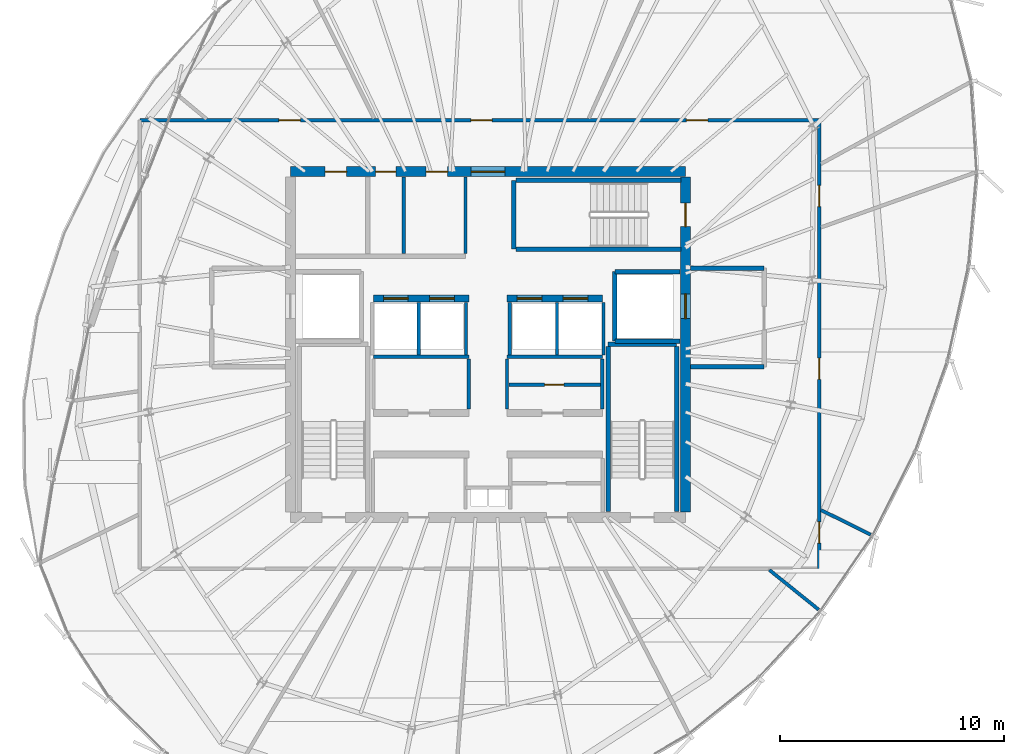
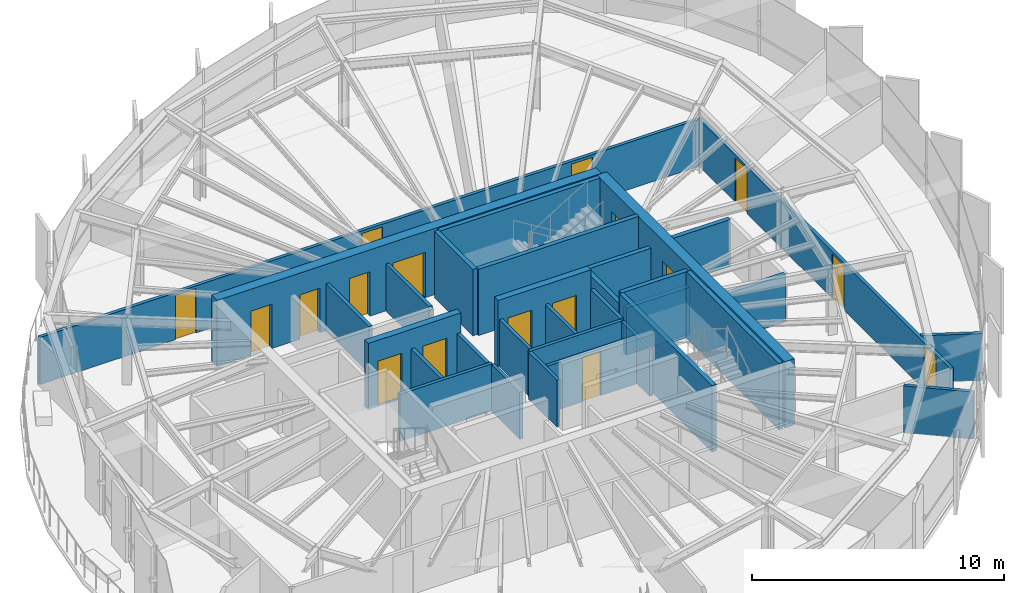
# One storey, part 30 of 36: 32 walls, 17 doors, 17 openings.
"""IFC4 building model written with IfcOpenShell, lengths in metres."""

from ifc_helpers import new_model, si_unit, direction, frame, frame_2d, origin, place, context, subcontext, project, spatial, rectangle, extrude, source, transform, mapped, material, layer, layer_set, type_object, element, fill, save


model = new_model("IFC4")

# Units and contexts
model_context = context("Model", 3, precision=1e-05, world=origin(), true_north=direction((0.0, 1.0)))
body_context = subcontext(model_context, "Body", "Model", "MODEL_VIEW")
ifc_project = project(units=[si_unit("LENGTHUNIT", "METRE"), si_unit("AREAUNIT", "SQUARE_METRE"), si_unit("VOLUMEUNIT", "CUBIC_METRE"), si_unit("PLANEANGLEUNIT", "RADIAN"), si_unit("MASSUNIT", "GRAM", prefix="KILO"), si_unit("THERMODYNAMICTEMPERATUREUNIT", "KELVIN")], contexts=[model_context])

# Site, building, storey
site_placement = place(None, origin())
site = spatial("IfcSite", under=ifc_project, at=site_placement, CompositionType="ELEMENT")
building_placement = place(site_placement, origin())
building = spatial("IfcBuilding", under=site, at=building_placement, Name="Kethvar Cultural Tower", CompositionType="ELEMENT")
storey_placement = place(building_placement, frame((0.0, 0.0, 242.199951171875)))
storey = spatial("IfcBuildingStorey", under=building, at=storey_placement, Name="L63", CompositionType="ELEMENT", Elevation=242.199951171875)

# Wall, openings, doors
ifc_material_1 = material(Name="Concrete C50/60", Category="concrete")
ifc_layer_1 = layer(ifc_material_1, 0.449951171875, Name="Concrete C50/60", Category="concrete")
ifc_layer_set_1 = layer_set([ifc_layer_1], Name="Concrete C50/60 (450 mm)")
wall_type_1 = type_object("IfcWallType", Name="WL-CORE-450", PredefinedType="SHEAR", material=ifc_layer_set_1)
wall_1_placement = place(storey_placement, frame((55.60009765625, 35.5, 0.0), z_axis=(0.0, 0.0, 1.0), x_axis=(-1.0, 0.0, 0.0)))
wall_1 = element("IfcWall", 1, at=wall_1_placement, inside=storey, type_object=wall_type_1, Name="L63 Core Shear Wall N", PredefinedType="SHEAR", context=body_context, shape_type="SweptSolid", body=[
    extrude(rectangle(XDim=17.60009765625, YDim=0.449951171875, at=frame_2d((8.800048828125, 0.0))), origin(), (0.0, 0.0, 1.0), 3.2099609375),
])
opening_1_placement = place(wall_1_placement, frame((8.050048828125, 0.0, 0.0)))
opening_1 = element("IfcOpeningElement", 2, at=opening_1_placement, cuts=wall_1, Name="Opening D-L63-LN", PredefinedType="OPENING", context=body_context, shape_type="SweptSolid", body=[
    extrude(rectangle(XDim=1.5, YDim=2.199951171875, at=frame_2d((0.75, 1.10009765625))), frame((0.0, 0.23486328125, 0.0), z_axis=(0.0, -1.0, 0.0), x_axis=(1.0, 0.0, 0.0)), (0.0, 0.0, 1.0), 0.469970703125),
])
opening_2_placement = place(wall_1_placement, frame((15.10009765625, 0.0, 0.0)))
opening_2 = element("IfcOpeningElement", 3, at=opening_2_placement, cuts=wall_1, Name="Opening D-L63-E1", PredefinedType="OPENING", context=body_context, shape_type="SweptSolid", body=[
    extrude(rectangle(XDim=0.949951171875, YDim=2.14990234375, at=frame_2d((0.47509765625, 1.074951171875))), frame((0.0, 0.23486328125, 0.0), z_axis=(0.0, -1.0, 0.0), x_axis=(1.0, 0.0, 0.0)), (0.0, 0.0, 1.0), 0.469970703125),
])
opening_3_placement = place(wall_1_placement, frame((12.89990234375, 0.0, 0.0)))
opening_3 = element("IfcOpeningElement", 4, at=opening_3_placement, cuts=wall_1, Name="Opening D-L63-W1", PredefinedType="OPENING", context=body_context, shape_type="SweptSolid", body=[
    extrude(rectangle(XDim=0.89990234375, YDim=2.14990234375, at=frame_2d((0.449951171875, 1.074951171875))), frame((0.0, 0.23486328125, 0.0), z_axis=(0.0, -1.0, 0.0), x_axis=(1.0, 0.0, 0.0)), (0.0, 0.0, 1.0), 0.469970703125),
])
opening_4_placement = place(wall_1_placement, frame((10.60009765625, 0.0, 0.0)))
opening_4 = element("IfcOpeningElement", 5, at=opening_4_placement, cuts=wall_1, Name="Opening D-L63-W2", PredefinedType="OPENING", context=body_context, shape_type="SweptSolid", body=[
    extrude(rectangle(XDim=0.949951171875, YDim=2.14990234375, at=frame_2d((0.47509765625, 1.074951171875))), frame((0.0, 0.23486328125, 0.0), z_axis=(0.0, -1.0, 0.0), x_axis=(1.0, 0.0, 0.0)), (0.0, 0.0, 1.0), 0.469970703125),
])
ifc_material_2 = material(Name="Architectural Oak Timber", Category="wood")
door_type_1 = type_object("IfcDoorType", Name="DR-DBL-FD60-1500", OperationType="DOUBLE_DOOR_SINGLE_SWING", PredefinedType="DOOR", material=ifc_material_2)
shared_shape_1 = source(origin(), body_context, "Body", "SweptSolid", [
    extrude(rectangle(XDim=1.5, YDim=2.199951171875, at=frame_2d((0.75, 1.10009765625))), frame((0.0, 0.02490234375, 0.0), z_axis=(0.0, -1.0, 0.0), x_axis=(1.0, 0.0, 0.0)), (0.0, 0.0, 1.0), 0.050048828125),
])
door_1_placement = place(opening_1_placement, origin())
door_1 = element("IfcDoor", 6, at=door_1_placement, inside=storey, type_object=door_type_1, Name="L63 Lift Lobby Concourse Door", OperationType="DOUBLE_DOOR_SINGLE_SWING", OverallHeight=2.199951171875, OverallWidth=1.5, PredefinedType="DOOR", context=body_context, shape_type="MappedRepresentation", body=[
    mapped(shared_shape_1, transform((0.0, 0.0, 0.0), scale=1.0)),
])
fill(opening_1, door_1)
door_type_2 = type_object("IfcDoorType", Name="DR-FD30-950", OperationType="NOTDEFINED", PredefinedType="DOOR", material=ifc_material_2)
shared_shape_2 = source(origin(), body_context, "Body", "SweptSolid", [
    extrude(rectangle(XDim=0.949951171875, YDim=2.14990234375, at=frame_2d((0.47509765625, 1.074951171875))), frame((0.0, 0.02490234375, 0.0), z_axis=(0.0, -1.0, 0.0), x_axis=(1.0, 0.0, 0.0)), (0.0, 0.0, 1.0), 0.050048828125),
])
door_2_placement = place(opening_2_placement, origin())
door_2 = element("IfcDoor", 7, at=door_2_placement, inside=storey, type_object=door_type_2, Name="L63 Electrical Switchgear Door", OperationType="SINGLE_SWING_RIGHT", OverallHeight=2.14990234375, OverallWidth=0.949951171875, PredefinedType="DOOR", context=body_context, shape_type="MappedRepresentation", body=[
    mapped(shared_shape_2, transform((0.0, 0.0, 0.0), scale=1.0)),
])
fill(opening_2, door_2)
door_3_placement = place(opening_4_placement, origin())
door_3 = element("IfcDoor", 8, at=door_3_placement, inside=storey, type_object=door_type_2, Name="L63 Public Washroom Door", OperationType="SINGLE_SWING_RIGHT", OverallHeight=2.14990234375, OverallWidth=0.949951171875, PredefinedType="DOOR", context=body_context, shape_type="MappedRepresentation", body=[
    mapped(shared_shape_2, transform((0.0, 0.0, 0.0), scale=1.0)),
])
fill(opening_4, door_3)
door_type_3 = type_object("IfcDoorType", Name="DR-FD30-900", OperationType="NOTDEFINED", PredefinedType="DOOR", material=ifc_material_2)
shared_shape_3 = source(origin(), body_context, "Body", "SweptSolid", [
    extrude(rectangle(XDim=0.89990234375, YDim=2.14990234375, at=frame_2d((0.449951171875, 1.074951171875))), frame((0.0, 0.02490234375, 0.0), z_axis=(0.0, -1.0, 0.0), x_axis=(1.0, 0.0, 0.0)), (0.0, 0.0, 1.0), 0.050048828125),
])
door_4_placement = place(opening_3_placement, origin())
door_4 = element("IfcDoor", 9, at=door_4_placement, inside=storey, type_object=door_type_3, Name="L63 Accessible Washroom Door", OperationType="SINGLE_SWING_LEFT", OverallHeight=2.14990234375, OverallWidth=0.89990234375, PredefinedType="DOOR", context=body_context, shape_type="MappedRepresentation", body=[
    mapped(shared_shape_3, transform((0.0, 0.0, 0.0), scale=1.0)),
])
fill(opening_3, door_4)

wall_2_placement = place(storey_placement, frame((55.60009765625, 20.340087890625, 0.0), z_axis=(0.0, 0.0, 1.0), x_axis=(0.0, 1.0, 0.0)))
wall_2 = element("IfcWall", 10, at=wall_2_placement, inside=storey, type_object=wall_type_1, Name="L63 Core Shear Wall E", PredefinedType="SHEAR", context=body_context, shape_type="SweptSolid", body=[
    extrude(rectangle(XDim=14.919921875, YDim=0.449951171875, at=frame_2d((7.4599609375, 0.0))), origin(), (0.0, 0.0, 1.0), 3.2099609375),
])
opening_5_placement = place(wall_2_placement, frame((12.7099609375, 0.0, 0.0)))
opening_5 = element("IfcOpeningElement", 11, at=opening_5_placement, cuts=wall_2, Name="Opening D-L63-S3", PredefinedType="OPENING", context=body_context, shape_type="SweptSolid", body=[
    extrude(rectangle(XDim=1.050048828125, YDim=2.14990234375, at=frame_2d((0.52490234375, 1.074951171875))), frame((0.0, 0.23486328125, 0.0), z_axis=(0.0, -1.0, 0.0), x_axis=(1.0, 0.0, 0.0)), (0.0, 0.0, 1.0), 0.469970703125),
])
opening_6_placement = place(wall_2_placement, frame((8.610107421875, 0.0, 0.0)))
opening_6 = element("IfcOpeningElement", 12, at=opening_6_placement, cuts=wall_2, Name="Opening LD-2", PredefinedType="OPENING", context=body_context, shape_type="SweptSolid", body=[
    extrude(rectangle(XDim=1.10009765625, YDim=2.199951171875, at=frame_2d((0.550048828125, 1.10009765625))), frame((0.0, 0.23486328125, 0.0), z_axis=(0.0, -1.0, 0.0), x_axis=(1.0, 0.0, 0.0)), (0.0, 0.0, 1.0), 0.469970703125),
])
ifc_material_3 = material(Name="Steel S355J2", Category="steel")
door_type_4 = type_object("IfcDoorType", Name="DR-FD60-1050", OperationType="NOTDEFINED", PredefinedType="DOOR", material=ifc_material_3)
shared_shape_4 = source(origin(), body_context, "Body", "SweptSolid", [
    extrude(rectangle(XDim=1.050048828125, YDim=2.14990234375, at=frame_2d((0.52490234375, 1.074951171875))), frame((0.0, 0.02490234375, 0.0), z_axis=(0.0, -1.0, 0.0), x_axis=(1.0, 0.0, 0.0)), (0.0, 0.0, 1.0), 0.050048828125),
])
door_5_placement = place(opening_5_placement, origin())
door_5 = element("IfcDoor", 13, at=door_5_placement, inside=storey, type_object=door_type_4, Name="L63 Exit Stair 3 Door", OperationType="SINGLE_SWING_LEFT", OverallHeight=2.14990234375, OverallWidth=1.050048828125, PredefinedType="DOOR", context=body_context, shape_type="MappedRepresentation", body=[
    mapped(shared_shape_4, transform((0.0, 0.0, 0.0), scale=1.0)),
])
fill(opening_5, door_5)
door_type_5 = type_object("IfcDoorType", Name="DR-LIFT-SLIDE-1100", OperationType="NOTDEFINED", PredefinedType="DOOR", material=ifc_material_3)
shared_shape_5 = source(origin(), body_context, "Body", "SweptSolid", [
    extrude(rectangle(XDim=1.10009765625, YDim=2.199951171875, at=frame_2d((0.550048828125, 1.10009765625))), frame((0.0, 0.02490234375, 0.0), z_axis=(0.0, -1.0, 0.0), x_axis=(1.0, 0.0, 0.0)), (0.0, 0.0, 1.0), 0.050048828125),
])
door_6_placement = place(opening_6_placement, origin())
door_6 = element("IfcDoor", 14, at=door_6_placement, inside=storey, type_object=door_type_5, Name="L63 Firefighting Lift Landing Door FFL-02", OperationType="SLIDING_TO_RIGHT", OverallHeight=2.199951171875, OverallWidth=1.10009765625, PredefinedType="DOOR", context=body_context, shape_type="MappedRepresentation", body=[
    mapped(shared_shape_5, transform((0.0, 0.0, 0.0), scale=1.0)),
])
fill(opening_6, door_6)

# Walls
ifc_material_4 = material(Name="Gypsum Fireboard Partition")
ifc_layer_2 = layer(ifc_material_4, 0.14990234375, Name="Gypsum Fireboard Partition")
ifc_layer_set_2 = layer_set([ifc_layer_2], Name="Gypsum Fireboard Partition (150 mm)")
wall_type_2 = type_object("IfcWallType", Name="WL-FIRE-150", PredefinedType="PARTITIONING", material=ifc_layer_set_2)
for number, where, z_axis, x_axis, name in (
    (15, (41.699951171875, 27.25, 0.0), (0.0, 0.0, 1.0), (1.0, 0.0, 0.0), "L63 Reclaimed Mid Wall W"),
    (16, (47.64990234375, 27.25, 0.0), (0.0, 0.0, 1.0), (1.0, 0.0, 0.0), "L63 Reclaimed Mid Wall E"),
):
    element("IfcWall", number, at=place(storey_placement, frame(where, z_axis=z_axis, x_axis=x_axis)), inside=storey, type_object=wall_type_2, Name=name, PredefinedType="PARTITIONING", context=body_context, shape_type="SweptSolid", body=[
        extrude(rectangle(XDim=4.25, YDim=0.14990234375, at=frame_2d((2.125, 0.0))), origin(), (0.0, 0.0, 1.0), 2.280029296875),
    ])
for number, where, z_axis, x_axis, name in (
    (17, (45.949951171875, 24.919921875, 0.0), (0.0, 0.0, 1.0), (0.0, 1.0, 0.0), "L63 Reclaimed Mid Spine W"),
    (18, (47.64990234375, 24.919921875, 0.0), (0.0, 0.0, 1.0), (0.0, 1.0, 0.0), "L63 Reclaimed Mid Spine E"),
    (19, (51.89990234375, 24.919921875, 0.0), (0.0, 0.0, 1.0), (0.0, 1.0, 0.0), "L63 Reclaimed Mid Outer E"),
):
    element("IfcWall", number, at=place(storey_placement, frame(where, z_axis=z_axis, x_axis=x_axis)), inside=storey, type_object=wall_type_2, Name=name, PredefinedType="PARTITIONING", context=body_context, shape_type="SweptSolid", body=[
        extrude(rectangle(XDim=2.239990234375, YDim=0.14990234375, at=frame_2d((1.1201171875, 0.0))), origin(), (0.0, 0.0, 1.0), 2.280029296875),
    ])

# Wall, opening, door
wall_3_placement = place(storey_placement, frame((47.72998046875, 26.010009765625, 0.0), z_axis=(0.0, 0.0, 1.0), x_axis=(1.0, 0.0, 0.0)))
wall_3 = element("IfcWall", 20, at=wall_3_placement, inside=storey, type_object=wall_type_2, Name="L63 Mid Gallery Wall E", PredefinedType="PARTITIONING", context=body_context, shape_type="SweptSolid", body=[
    extrude(rectangle(XDim=4.090087890625, YDim=0.14990234375, at=frame_2d((2.044921875, 0.0))), origin(), (0.0, 0.0, 1.0), 2.280029296875),
])
opening_7_placement = place(wall_3_placement, frame((1.60009765625, 0.0, 0.0)))
opening_7 = element("IfcOpeningElement", 21, at=opening_7_placement, cuts=wall_3, Name="Opening D-L63-M3", PredefinedType="OPENING", context=body_context, shape_type="SweptSolid", body=[
    extrude(rectangle(XDim=0.85009765625, YDim=2.14990234375, at=frame_2d((0.425048828125, 1.074951171875))), frame((0.0, 0.0849609375, 0.0), z_axis=(0.0, -1.0, 0.0), x_axis=(1.0, 0.0, 0.0)), (0.0, 0.0, 1.0), 0.169921875),
])
door_type_6 = type_object("IfcDoorType", Name="DR-FD30-850", OperationType="NOTDEFINED", PredefinedType="DOOR", material=ifc_material_3)
shared_shape_6 = source(origin(), body_context, "Body", "SweptSolid", [
    extrude(rectangle(XDim=0.85009765625, YDim=2.14990234375, at=frame_2d((0.425048828125, 1.074951171875))), frame((0.0, 0.02490234375, 0.0), z_axis=(0.0, -1.0, 0.0), x_axis=(1.0, 0.0, 0.0)), (0.0, 0.0, 1.0), 0.050048828125),
])
door_7_placement = place(opening_7_placement, origin())
door_7 = element("IfcDoor", 22, at=door_7_placement, inside=storey, type_object=door_type_6, Name="L63 UPS Inner Door", OperationType="SINGLE_SWING_RIGHT", OverallHeight=2.14990234375, OverallWidth=0.85009765625, PredefinedType="DOOR", context=body_context, shape_type="MappedRepresentation", body=[
    mapped(shared_shape_6, transform((0.0, 0.0, 0.0), scale=1.0)),
])
fill(opening_7, door_7)

# Walls
for number, where, z_axis, x_axis, name in (
    (23, (43.72509765625, 27.340087890625, 0.0), (0.0, 0.0, 1.0), (0.0, 1.0, 0.0), "L63 High-Rise Lift Shaft Divider W"),
    (24, (45.824951171875, 27.340087890625, 0.0), (0.0, 0.0, 1.0), (0.0, 1.0, 0.0), "L63 High-Rise Lift Shaft Concourse Wall W"),
    (25, (47.77490234375, 27.340087890625, 0.0), (0.0, 0.0, 1.0), (0.0, 1.0, 0.0), "L63 High-Rise Lift Shaft Concourse Wall E"),
    (26, (49.875, 27.340087890625, 0.0), (0.0, 0.0, 1.0), (0.0, 1.0, 0.0), "L63 High-Rise Lift Shaft Divider E"),
    (27, (51.949951171875, 27.340087890625, 0.0), (0.0, 0.0, 1.0), (0.0, 1.0, 0.0), "L63 High-Rise Lift Shaft Outer Wall E"),
):
    element("IfcWall", number, at=place(storey_placement, frame(where, z_axis=z_axis, x_axis=x_axis)), inside=storey, type_object=wall_type_2, Name=name, PredefinedType="PARTITIONING", context=body_context, shape_type="SweptSolid", body=[
        extrude(rectangle(XDim=2.33984375, YDim=0.14990234375, at=frame_2d((1.169921875, 0.0))), origin(), (0.0, 0.0, 1.0), 2.280029296875),
    ])
wall_4_placement = place(storey_placement, frame((45.800048828125, 31.85009765625, 0.0), z_axis=(0.0, 0.0, 1.0), x_axis=(0.0, 1.0, 0.0)))
element("IfcWall", 28, at=wall_4_placement, inside=storey, type_object=wall_type_2, Name="L63 Sanitary Spine Wall", PredefinedType="PARTITIONING", context=body_context, shape_type="SweptSolid", body=[
    extrude(rectangle(XDim=3.414794921875, YDim=0.14990234375, at=frame_2d((1.70751953125, 0.0))), origin(), (0.0, 0.0, 1.0), 2.280029296875),
])

# Wall, openings, doors
wall_5_placement = place(storey_placement, frame((61.56396484375, 17.806884765625, 0.0), z_axis=(0.0, 0.0, 1.0), x_axis=(0.0, 1.0, 0.0)))
wall_5 = element("IfcWall", 29, at=wall_5_placement, inside=storey, type_object=wall_type_2, Name="L63 Corridor Rated Wall E", PredefinedType="PARTITIONING", context=body_context, shape_type="SweptSolid", body=[
    extrude(rectangle(XDim=19.986083984375, YDim=0.14990234375, at=frame_2d((9.9931640625, 0.0))), origin(), (0.0, 0.0, 1.0), 2.280029296875),
])
opening_8_placement = place(wall_5_placement, frame((1.14208984375, 0.0, 0.0)))
opening_8 = element("IfcOpeningElement", 30, at=opening_8_placement, cuts=wall_5, Name="Opening D-L63-06", PredefinedType="OPENING", context=body_context, shape_type="SweptSolid", body=[
    extrude(rectangle(XDim=0.949951171875, YDim=2.14990234375, at=frame_2d((0.47509765625, 1.074951171875))), frame((0.0, 0.0849609375, 0.0), z_axis=(0.0, -1.0, 0.0), x_axis=(1.0, 0.0, 0.0)), (0.0, 0.0, 1.0), 0.169921875),
])
opening_9_placement = place(wall_5_placement, frame((8.435791015625, 0.0, 0.0)))
opening_9 = element("IfcOpeningElement", 31, at=opening_9_placement, cuts=wall_5, Name="Opening D-L63-07", PredefinedType="OPENING", context=body_context, shape_type="SweptSolid", body=[
    extrude(rectangle(XDim=0.949951171875, YDim=2.14990234375, at=frame_2d((0.47509765625, 1.074951171875))), frame((0.0, 0.0849609375, 0.0), z_axis=(0.0, -1.0, 0.0), x_axis=(1.0, 0.0, 0.0)), (0.0, 0.0, 1.0), 0.169921875),
])
opening_10_placement = place(wall_5_placement, frame((16.13671875, 0.0, 0.0)))
opening_10 = element("IfcOpeningElement", 32, at=opening_10_placement, cuts=wall_5, Name="Opening D-L63-08", PredefinedType="OPENING", context=body_context, shape_type="SweptSolid", body=[
    extrude(rectangle(XDim=0.949951171875, YDim=2.14990234375, at=frame_2d((0.47509765625, 1.074951171875))), frame((0.0, 0.0849609375, 0.0), z_axis=(0.0, -1.0, 0.0), x_axis=(1.0, 0.0, 0.0)), (0.0, 0.0, 1.0), 0.169921875),
])
door_8_placement = place(opening_8_placement, origin())
door_8 = element("IfcDoor", 33, at=door_8_placement, inside=storey, type_object=door_type_2, Name="L63 Compact Archival Store 06 Door", OperationType="SINGLE_SWING_LEFT", OverallHeight=2.14990234375, OverallWidth=0.949951171875, PredefinedType="DOOR", context=body_context, shape_type="MappedRepresentation", body=[
    mapped(shared_shape_2, transform((0.0, 0.0, 0.0), scale=1.0)),
])
fill(opening_8, door_8)
door_9_placement = place(opening_9_placement, origin())
door_9 = element("IfcDoor", 34, at=door_9_placement, inside=storey, type_object=door_type_2, Name="L63 Rare Folio Storage 07 Door", OperationType="SINGLE_SWING_RIGHT", OverallHeight=2.14990234375, OverallWidth=0.949951171875, PredefinedType="DOOR", context=body_context, shape_type="MappedRepresentation", body=[
    mapped(shared_shape_2, transform((0.0, 0.0, 0.0), scale=1.0)),
])
fill(opening_9, door_9)
door_10_placement = place(opening_10_placement, origin())
door_10 = element("IfcDoor", 35, at=door_10_placement, inside=storey, type_object=door_type_2, Name="L63 Docent Espresso Pantry 08 Door", OperationType="SINGLE_SWING_LEFT", OverallHeight=2.14990234375, OverallWidth=0.949951171875, PredefinedType="DOOR", context=body_context, shape_type="MappedRepresentation", body=[
    mapped(shared_shape_2, transform((0.0, 0.0, 0.0), scale=1.0)),
])
fill(opening_10, door_10)

wall_6_placement = place(storey_placement, frame((61.56396484375, 37.79296875, 0.0), z_axis=(0.0, 0.0, 1.0), x_axis=(-1.0, 0.0, 0.0)))
wall_6 = element("IfcWall", 36, at=wall_6_placement, inside=storey, type_object=wall_type_2, Name="L63 Corridor Rated Wall N", PredefinedType="PARTITIONING", context=body_context, shape_type="SweptSolid", body=[
    extrude(rectangle(XDim=30.27392578125, YDim=0.14990234375, at=frame_2d((15.136962890625, 0.0))), origin(), (0.0, 0.0, 1.0), 2.280029296875),
])
opening_11_placement = place(wall_6_placement, frame((4.9677734375, 0.0, 0.0)))
opening_11 = element("IfcOpeningElement", 37, at=opening_11_placement, cuts=wall_6, Name="Opening D-L63-09", PredefinedType="OPENING", context=body_context, shape_type="SweptSolid", body=[
    extrude(rectangle(XDim=0.949951171875, YDim=2.14990234375, at=frame_2d((0.47509765625, 1.074951171875))), frame((0.0, 0.0849609375, 0.0), z_axis=(0.0, -1.0, 0.0), x_axis=(1.0, 0.0, 0.0)), (0.0, 0.0, 1.0), 0.169921875),
])
opening_12_placement = place(wall_6_placement, frame((14.576904296875, 0.0, 0.0)))
opening_12 = element("IfcOpeningElement", 38, at=opening_12_placement, cuts=wall_6, Name="Opening D-L63-10", PredefinedType="OPENING", context=body_context, shape_type="SweptSolid", body=[
    extrude(rectangle(XDim=0.949951171875, YDim=2.14990234375, at=frame_2d((0.47509765625, 1.074951171875))), frame((0.0, 0.0849609375, 0.0), z_axis=(0.0, -1.0, 0.0), x_axis=(1.0, 0.0, 0.0)), (0.0, 0.0, 1.0), 0.169921875),
])
opening_13_placement = place(wall_6_placement, frame((23.123291015625, 0.0, 0.0)))
opening_13 = element("IfcOpeningElement", 39, at=opening_13_placement, cuts=wall_6, Name="Opening D-L63-11", PredefinedType="OPENING", context=body_context, shape_type="SweptSolid", body=[
    extrude(rectangle(XDim=0.949951171875, YDim=2.14990234375, at=frame_2d((0.47509765625, 1.074951171875))), frame((0.0, 0.0849609375, 0.0), z_axis=(0.0, -1.0, 0.0), x_axis=(1.0, 0.0, 0.0)), (0.0, 0.0, 1.0), 0.169921875),
])
door_11_placement = place(opening_11_placement, origin())
door_11 = element("IfcDoor", 40, at=door_11_placement, inside=storey, type_object=door_type_2, Name="L63 Scholars' Study Lounge 09 Door", OperationType="SINGLE_SWING_RIGHT", OverallHeight=2.14990234375, OverallWidth=0.949951171875, PredefinedType="DOOR", context=body_context, shape_type="MappedRepresentation", body=[
    mapped(shared_shape_2, transform((0.0, 0.0, 0.0), scale=1.0)),
])
fill(opening_11, door_11)
door_12_placement = place(opening_12_placement, origin())
door_12 = element("IfcDoor", 41, at=door_12_placement, inside=storey, type_object=door_type_2, Name="L63 Curatorial Concierge Foyer 10 Door", OperationType="SINGLE_SWING_LEFT", OverallHeight=2.14990234375, OverallWidth=0.949951171875, PredefinedType="DOOR", context=body_context, shape_type="MappedRepresentation", body=[
    mapped(shared_shape_2, transform((0.0, 0.0, 0.0), scale=1.0)),
])
fill(opening_12, door_12)
door_13_placement = place(opening_13_placement, origin())
door_13 = element("IfcDoor", 42, at=door_13_placement, inside=storey, type_object=door_type_2, Name="L63 Photography Media Salon 11 Door", OperationType="SINGLE_SWING_RIGHT", OverallHeight=2.14990234375, OverallWidth=0.949951171875, PredefinedType="DOOR", context=body_context, shape_type="MappedRepresentation", body=[
    mapped(shared_shape_2, transform((0.0, 0.0, 0.0), scale=1.0)),
])
fill(opening_13, door_13)

# Walls
ifc_material_5 = material(Name="Concrete C40/50", Category="concrete")
ifc_layer_3 = layer(ifc_material_5, 0.199951171875, Name="Concrete C40/50", Category="concrete")
ifc_layer_set_3 = layer_set([ifc_layer_3], Name="Concrete C40/50 (200 mm)")
wall_type_3 = type_object("IfcWallType", Name="WL-FIRE-200", PredefinedType="PARTITIONING", material=ifc_layer_set_3)
wall_7_placement = place(storey_placement, frame((52.449951171875, 27.949951171875, 0.0), z_axis=(0.0, 0.0, 1.0), x_axis=(0.0, 1.0, 0.0)))
element("IfcWall", 43, at=wall_7_placement, inside=storey, type_object=wall_type_3, Name="L63 FFL-02 Shaft Inner Wall", PredefinedType="PARTITIONING", context=body_context, shape_type="SweptSolid", body=[
    extrude(rectangle(XDim=3.10009765625, YDim=0.199951171875, at=frame_2d((1.550048828125, 0.0))), origin(), (0.0, 0.0, 1.0), 2.280029296875),
])
for number, where, z_axis, x_axis, name in (
    (44, (52.449951171875, 27.949951171875, 0.0), (0.0, 0.0, 1.0), (1.0, 0.0, 0.0), "L63 FFL-02 Shaft South Wall"),
    (45, (52.449951171875, 31.050048828125, 0.0), (0.0, 0.0, 1.0), (1.0, 0.0, 0.0), "L63 FFL-02 Shaft North Wall"),
):
    element("IfcWall", number, at=place(storey_placement, frame(where, z_axis=z_axis, x_axis=x_axis)), inside=storey, type_object=wall_type_3, Name=name, PredefinedType="PARTITIONING", context=body_context, shape_type="SweptSolid", body=[
        extrude(rectangle(XDim=2.9150390625, YDim=0.199951171875, at=frame_2d((1.45751953125, 0.0))), origin(), (0.0, 0.0, 1.0), 2.280029296875),
    ])
for number, where, z_axis, x_axis, name in (
    (46, (55.8349609375, 26.800048828125, 0.0), (0.0, 0.0, 1.0), (1.0, 0.0, 0.0), "L63 FF Lobby 2 South Wall"),
    (47, (55.8349609375, 31.199951171875, 0.0), (0.0, 0.0, 1.0), (1.0, 0.0, 0.0), "L63 FF Lobby 2 North Wall"),
):
    element("IfcWall", number, at=place(storey_placement, frame(where, z_axis=z_axis, x_axis=x_axis)), inside=storey, type_object=wall_type_3, Name=name, PredefinedType="PARTITIONING", context=body_context, shape_type="SweptSolid", body=[
        extrude(rectangle(XDim=3.26513671875, YDim=0.199951171875, at=frame_2d((1.632568359375, 0.0))), origin(), (0.0, 0.0, 1.0), 2.280029296875),
    ])
ifc_material_6 = material(Name="Gypsum Acoustic Partition")
ifc_layer_4 = layer(ifc_material_6, 0.14990234375, Name="Gypsum Acoustic Partition")
ifc_layer_set_4 = layer_set([ifc_layer_4], Name="Gypsum Acoustic Partition (150 mm)")
wall_type_4 = type_object("IfcWallType", Name="WL-PART-150", PredefinedType="PARTITIONING", material=ifc_layer_set_4)
wall_8_placement = place(storey_placement, frame((59.335693359375, 17.7568359375, 0.0), z_axis=(0.0, 0.0, 1.0), x_axis=(0.778950927575, -0.627084884549, 0.0)))
element("IfcWall", 48, at=wall_8_placement, inside=storey, type_object=wall_type_4, Name="L63 Radial Partition Wall 06", PredefinedType="PARTITIONING", context=body_context, shape_type="SweptSolid", body=[
    extrude(rectangle(XDim=2.824462890625, YDim=0.14990234375, at=frame_2d((1.412109375, 0.0))), origin(), (0.0, 0.0, 1.0), 2.280029296875),
])
wall_9_placement = place(storey_placement, frame((61.635498046875, 20.426025390625, 0.0), z_axis=(0.0, 0.0, 1.0), x_axis=(0.895649664902, -0.444760247505, 0.0)))
element("IfcWall", 49, at=wall_9_placement, inside=storey, type_object=wall_type_4, Name="L63 Radial Partition Wall 07", PredefinedType="PARTITIONING", context=body_context, shape_type="SweptSolid", body=[
    extrude(rectangle(XDim=2.4697265625, YDim=0.14990234375, at=frame_2d((1.23486328125, 0.0))), origin(), (0.0, 0.0, 1.0), 2.280029296875),
])
ifc_material_7 = material(Name="Moisture-Resistant Sanitary Chase Wall")
ifc_layer_5 = layer(ifc_material_7, 0.14990234375, Name="Moisture-Resistant Sanitary Chase Wall")
ifc_layer_set_5 = layer_set([ifc_layer_5], Name="Moisture-Resistant Sanitary Chase Wall (150 mm)")
wall_type_5 = type_object("IfcWallType", Name="WL-PLUMB-150", PredefinedType="PLUMBINGWALL", material=ifc_layer_set_5)
wall_10_placement = place(storey_placement, frame((43.050048828125, 31.85009765625, 0.0), z_axis=(0.0, 0.0, 1.0), x_axis=(0.0, 1.0, 0.0)))
element("IfcWall", 50, at=wall_10_placement, inside=storey, type_object=wall_type_5, Name="L63 Sanitary Plumbing Wall", PredefinedType="PLUMBINGWALL", context=body_context, shape_type="SweptSolid", body=[
    extrude(rectangle(XDim=3.414794921875, YDim=0.14990234375, at=frame_2d((1.70751953125, 0.0))), origin(), (0.0, 0.0, 1.0), 2.280029296875),
])

# Wall, openings, doors
ifc_layer_6 = layer(ifc_material_1, 0.300048828125, Name="Concrete C50/60", Category="concrete")
ifc_layer_set_6 = layer_set([ifc_layer_6], Name="Concrete C50/60 (300 mm)")
wall_type_6 = type_object("IfcWallType", Name="WL-SHAFT-300", PredefinedType="SHEAR", material=ifc_layer_set_6)
wall_11_placement = place(storey_placement, frame((41.699951171875, 29.85009765625, 0.0), z_axis=(0.0, 0.0, 1.0), x_axis=(1.0, 0.0, 0.0)))
wall_11 = element("IfcWall", 51, at=wall_11_placement, inside=storey, type_object=wall_type_6, Name="L63 Core Lift Spine Wall MID3W", PredefinedType="SHEAR", context=body_context, shape_type="SweptSolid", body=[
    extrude(rectangle(XDim=4.25, YDim=0.300048828125, at=frame_2d((2.125, 0.0))), origin(), (0.0, 0.0, 1.0), 3.2099609375),
])
opening_14_placement = place(wall_11_placement, frame((0.449951171875, 0.0, 0.0)))
opening_14 = element("IfcOpeningElement", 52, at=opening_14_placement, cuts=wall_11, Name="Opening LD-H1", PredefinedType="OPENING", context=body_context, shape_type="SweptSolid", body=[
    extrude(rectangle(XDim=1.10009765625, YDim=2.199951171875, at=frame_2d((0.550048828125, 1.10009765625))), frame((0.0, 0.159912109375, 0.0), z_axis=(0.0, -1.0, 0.0), x_axis=(1.0, 0.0, 0.0)), (0.0, 0.0, 1.0), 0.320068359375),
])
opening_15_placement = place(wall_11_placement, frame((2.5, 0.0, 0.0)))
opening_15 = element("IfcOpeningElement", 53, at=opening_15_placement, cuts=wall_11, Name="Opening LD-H2", PredefinedType="OPENING", context=body_context, shape_type="SweptSolid", body=[
    extrude(rectangle(XDim=1.10009765625, YDim=2.199951171875, at=frame_2d((0.550048828125, 1.10009765625))), frame((0.0, 0.159912109375, 0.0), z_axis=(0.0, -1.0, 0.0), x_axis=(1.0, 0.0, 0.0)), (0.0, 0.0, 1.0), 0.320068359375),
])
door_14_placement = place(opening_14_placement, origin())
door_14 = element("IfcDoor", 54, at=door_14_placement, inside=storey, type_object=door_type_5, Name="L63 High-Rise Lift Landing Door H1", OperationType="SLIDING_TO_LEFT", OverallHeight=2.199951171875, OverallWidth=1.10009765625, PredefinedType="DOOR", context=body_context, shape_type="MappedRepresentation", body=[
    mapped(shared_shape_5, transform((0.0, 0.0, 0.0), scale=1.0)),
])
fill(opening_14, door_14)
door_15_placement = place(opening_15_placement, origin())
door_15 = element("IfcDoor", 55, at=door_15_placement, inside=storey, type_object=door_type_5, Name="L63 High-Rise Lift Landing Door H2", OperationType="SLIDING_TO_LEFT", OverallHeight=2.199951171875, OverallWidth=1.10009765625, PredefinedType="DOOR", context=body_context, shape_type="MappedRepresentation", body=[
    mapped(shared_shape_5, transform((0.0, 0.0, 0.0), scale=1.0)),
])
fill(opening_15, door_15)

wall_12_placement = place(storey_placement, frame((47.64990234375, 29.85009765625, 0.0), z_axis=(0.0, 0.0, 1.0), x_axis=(1.0, 0.0, 0.0)))
wall_12 = element("IfcWall", 56, at=wall_12_placement, inside=storey, type_object=wall_type_6, Name="L63 Core Lift Spine Wall MID3E", PredefinedType="SHEAR", context=body_context, shape_type="SweptSolid", body=[
    extrude(rectangle(XDim=4.25, YDim=0.300048828125, at=frame_2d((2.125, 0.0))), origin(), (0.0, 0.0, 1.0), 3.2099609375),
])
opening_16_placement = place(wall_12_placement, frame((0.449951171875, 0.0, 0.0)))
opening_16 = element("IfcOpeningElement", 57, at=opening_16_placement, cuts=wall_12, Name="Opening LD-H3", PredefinedType="OPENING", context=body_context, shape_type="SweptSolid", body=[
    extrude(rectangle(XDim=1.10009765625, YDim=2.199951171875, at=frame_2d((0.550048828125, 1.10009765625))), frame((0.0, 0.159912109375, 0.0), z_axis=(0.0, -1.0, 0.0), x_axis=(1.0, 0.0, 0.0)), (0.0, 0.0, 1.0), 0.320068359375),
])
opening_17_placement = place(wall_12_placement, frame((2.5, 0.0, 0.0)))
opening_17 = element("IfcOpeningElement", 58, at=opening_17_placement, cuts=wall_12, Name="Opening LD-H4", PredefinedType="OPENING", context=body_context, shape_type="SweptSolid", body=[
    extrude(rectangle(XDim=1.10009765625, YDim=2.199951171875, at=frame_2d((0.550048828125, 1.10009765625))), frame((0.0, 0.159912109375, 0.0), z_axis=(0.0, -1.0, 0.0), x_axis=(1.0, 0.0, 0.0)), (0.0, 0.0, 1.0), 0.320068359375),
])
door_16_placement = place(opening_16_placement, origin())
door_16 = element("IfcDoor", 59, at=door_16_placement, inside=storey, type_object=door_type_5, Name="L63 High-Rise Lift Landing Door H3", OperationType="SLIDING_TO_LEFT", OverallHeight=2.199951171875, OverallWidth=1.10009765625, PredefinedType="DOOR", context=body_context, shape_type="MappedRepresentation", body=[
    mapped(shared_shape_5, transform((0.0, 0.0, 0.0), scale=1.0)),
])
fill(opening_16, door_16)
door_17_placement = place(opening_17_placement, origin())
door_17 = element("IfcDoor", 60, at=door_17_placement, inside=storey, type_object=door_type_5, Name="L63 High-Rise Lift Landing Door H4", OperationType="SLIDING_TO_LEFT", OverallHeight=2.199951171875, OverallWidth=1.10009765625, PredefinedType="DOOR", context=body_context, shape_type="MappedRepresentation", body=[
    mapped(shared_shape_5, transform((0.0, 0.0, 0.0), scale=1.0)),
])
fill(opening_17, door_17)

# Walls
ifc_layer_7 = layer(ifc_material_1, 0.199951171875, Name="Concrete C50/60", Category="concrete")
ifc_layer_set_7 = layer_set([ifc_layer_7], Name="Concrete C50/60 (200 mm)")
wall_type_7 = type_object("IfcWallType", Name="WL-STSHAFT-200", PredefinedType="SHEAR", material=ifc_layer_set_7)
wall_13_placement = place(storey_placement, frame((52.14990234375, 27.800048828125, 0.0), z_axis=(0.0, 0.0, 1.0), x_axis=(1.0, 0.0, 0.0)))
element("IfcWall", 61, at=wall_13_placement, inside=storey, type_object=wall_type_7, Name="L63 ST-02 Stair Shaft Wall FAR", PredefinedType="SHEAR", context=body_context, shape_type="SweptSolid", body=[
    extrude(rectangle(XDim=3.06005859375, YDim=0.199951171875, at=frame_2d((1.530029296875, 0.0))), origin(), (0.0, 0.0, 1.0), 3.2099609375),
])
for number, where, z_axis, x_axis, name in (
    (62, (55.2099609375, 27.699951171875, 0.0), (0.0, 0.0, 1.0), (0.0, -1.0, 0.0), "L63 ST-02 Stair Shaft Wall LEFT"),
    (63, (52.14990234375, 20.35009765625, 0.0), (0.0, 0.0, 1.0), (0.0, 1.0, 0.0), "L63 ST-02 Stair Shaft Wall RIGHT"),
):
    element("IfcWall", number, at=place(storey_placement, frame(where, z_axis=z_axis, x_axis=x_axis)), inside=storey, type_object=wall_type_7, Name=name, PredefinedType="SHEAR", context=body_context, shape_type="SweptSolid", body=[
        extrude(rectangle(XDim=7.349853515625, YDim=0.199951171875, at=frame_2d((3.6748046875, 0.0))), origin(), (0.0, 0.0, 1.0), 3.2099609375),
    ])
wall_14_placement = place(storey_placement, frame((47.949951171875, 32.050048828125, 0.0), z_axis=(0.0, 0.0, 1.0), x_axis=(0.0, 1.0, 0.0)))
element("IfcWall", 64, at=wall_14_placement, inside=storey, type_object=wall_type_7, Name="L63 ST-03 Stair Shaft Wall FAR", PredefinedType="SHEAR", context=body_context, shape_type="SweptSolid", body=[
    extrude(rectangle(XDim=3.06005859375, YDim=0.199951171875, at=frame_2d((1.530029296875, 0.0))), origin(), (0.0, 0.0, 1.0), 3.2099609375),
])
for number, where, z_axis, x_axis, name in (
    (65, (48.050048828125, 35.110107421875, 0.0), (0.0, 0.0, 1.0), (1.0, 0.0, 0.0), "L63 ST-03 Stair Shaft Wall LEFT"),
    (66, (55.39990234375, 32.050048828125, 0.0), (0.0, 0.0, 1.0), (-1.0, 0.0, 0.0), "L63 ST-03 Stair Shaft Wall RIGHT"),
):
    element("IfcWall", number, at=place(storey_placement, frame(where, z_axis=z_axis, x_axis=x_axis)), inside=storey, type_object=wall_type_7, Name=name, PredefinedType="SHEAR", context=body_context, shape_type="SweptSolid", body=[
        extrude(rectangle(XDim=7.349853515625, YDim=0.199951171875, at=frame_2d((3.6748046875, 0.0))), origin(), (0.0, 0.0, 1.0), 3.2099609375),
    ])

save(model, "model.ifc")
